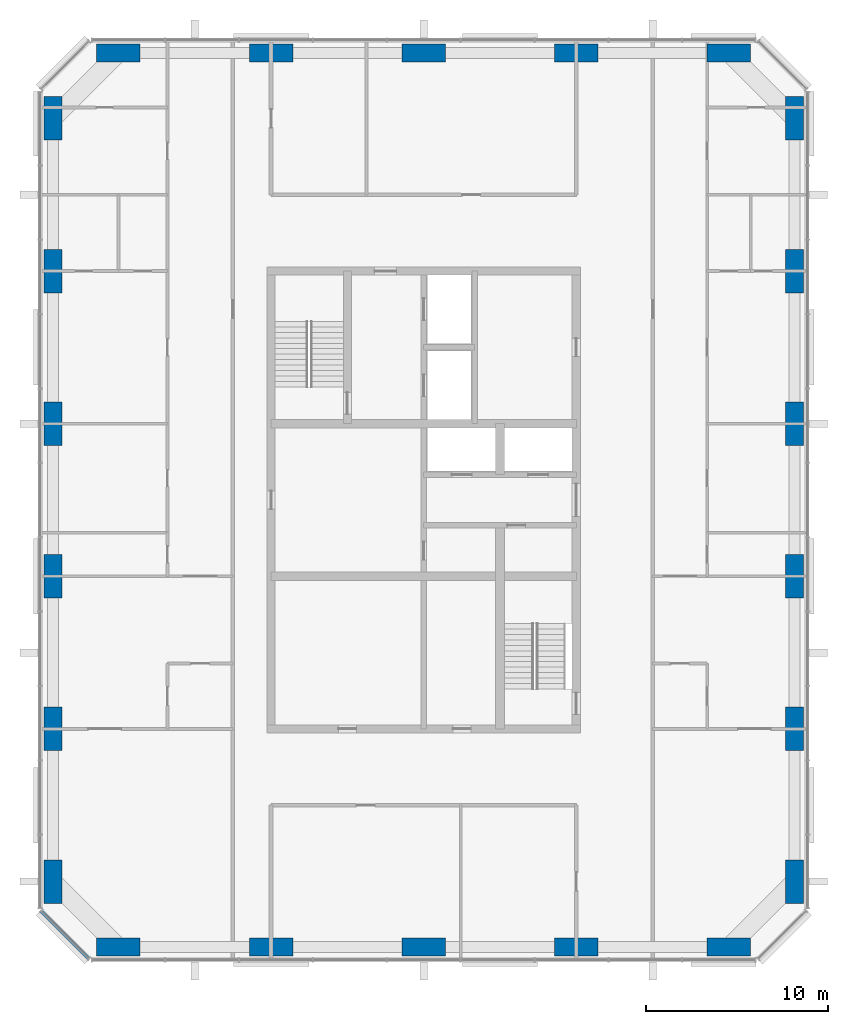
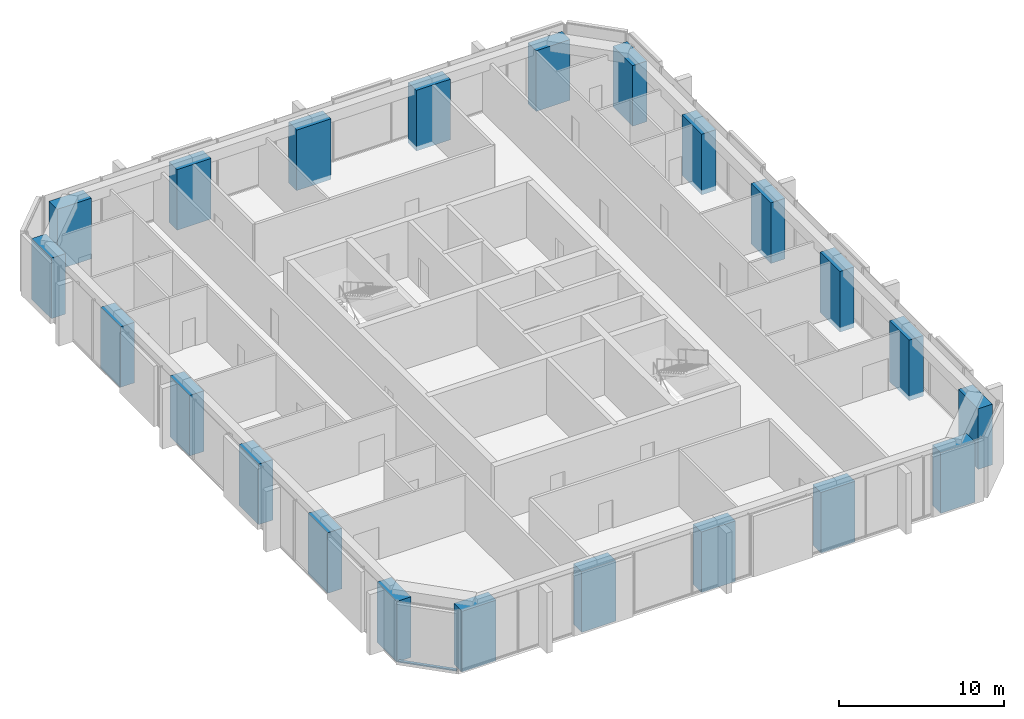
# One storey, part 1 of 10: 22 columns, 1 member, 1 element without a shape of its own.
"""IFC4 building model written with IfcOpenShell, lengths in metres."""

from ifc_helpers import new_model, si_unit, direction, frame, origin, origin_2d, place, context, subcontext, project, spatial, rectangle, extrude, material, material_profile, profile_set, type_object, element, aggregate, save


model = new_model("IFC4")

# Units and contexts
model_context = context("Model", 3, precision=1e-05, world=origin(), true_north=direction((0.0, 1.0)))
body_context = subcontext(model_context, "Body", "Model", "MODEL_VIEW")
ifc_project = project(units=[si_unit("LENGTHUNIT", "METRE"), si_unit("AREAUNIT", "SQUARE_METRE"), si_unit("VOLUMEUNIT", "CUBIC_METRE"), si_unit("PLANEANGLEUNIT", "RADIAN"), si_unit("MASSUNIT", "GRAM", prefix="KILO")], contexts=[model_context])

# Site, building, storey
site_placement = place(None, origin())
site = spatial("IfcSite", under=ifc_project, at=site_placement, CompositionType="ELEMENT")
building_placement = place(site_placement, origin())
building = spatial("IfcBuilding", under=site, at=building_placement, Name="Dunama Terrace Hotel", CompositionType="ELEMENT")
storey_placement = place(building_placement, frame((0.0, 0.0, 289.10009765625)))
storey = spatial("IfcBuildingStorey", under=building, at=storey_placement, Name="L74", CompositionType="ELEMENT", Elevation=289.10009765625)

# Columns
ifc_material_1 = material(Name="Concrete C50/60", Category="concrete")
ifc_material_profile_1 = material_profile(ifc_material_1, rectangle(XDim=1.0, YDim=2.39990234375, at=origin_2d()), Name="RC 1000x2400")
ifc_profile_set_1 = profile_set([ifc_material_profile_1], Name="Concrete C50/60")
column_type_1 = type_object("IfcColumnType", Name="Column RC 1000x2400", PredefinedType="COLUMN", material=ifc_profile_set_1)
for number, where, z_axis, x_axis, name in (
    (1, (13.199951171875, 8.39990234375, -0.35009765625), (0.0, 0.0, 1.0), (1.0, 0.0, 0.0), "Column L74 +13.2/+8.4"),
    (2, (13.199951171875, 16.800048828125, -0.35009765625), (0.0, 0.0, 1.0), (1.0, 0.0, 0.0), "Column L74 +13.2/+16.8"),
    (3, (13.199951171875, 25.199951171875, -0.35009765625), (0.0, 0.0, 1.0), (1.0, 0.0, 0.0), "Column L74 +13.2/+25.2"),
    (4, (13.199951171875, 33.60009765625, -0.35009765625), (0.0, 0.0, 1.0), (1.0, 0.0, 0.0), "Column L74 +13.2/+33.6"),
    (5, (13.199951171875, 42.0, -0.35009765625), (0.0, 0.0, 1.0), (1.0, 0.0, 0.0), "Column L74 +13.2/+42.0"),
    (6, (13.199951171875, 50.39990234375, -0.35009765625), (0.0, 0.0, 1.0), (1.0, 0.0, 0.0), "Column L74 +13.2/+50.4"),
    (7, (54.0, 8.39990234375, -0.35009765625), (0.0, 0.0, 1.0), (1.0, 0.0, 0.0), "Column L74 +54.0/+8.4"),
    (8, (54.0, 16.800048828125, -0.35009765625), (0.0, 0.0, 1.0), (1.0, 0.0, 0.0), "Column L74 +54.0/+16.8"),
    (9, (54.0, 25.199951171875, -0.35009765625), (0.0, 0.0, 1.0), (1.0, 0.0, 0.0), "Column L74 +54.0/+25.2"),
    (10, (54.0, 33.60009765625, -0.35009765625), (0.0, 0.0, 1.0), (1.0, 0.0, 0.0), "Column L74 +54.0/+33.6"),
    (11, (54.0, 42.0, -0.35009765625), (0.0, 0.0, 1.0), (1.0, 0.0, 0.0), "Column L74 +54.0/+42.0"),
    (12, (54.0, 50.39990234375, -0.35009765625), (0.0, 0.0, 1.0), (1.0, 0.0, 0.0), "Column L74 +54.0/+50.4"),
):
    element("IfcColumn", number, at=place(storey_placement, frame(where, z_axis=z_axis, x_axis=x_axis)), inside=storey, type_object=column_type_1, Name=name, PredefinedType="COLUMN", context=body_context, shape_type="SweptSolid", body=[
        extrude(rectangle(XDim=1.0, YDim=2.39990234375, at=origin_2d()), origin(), (0.0, 0.0, 1.0), 4.5),
    ])
ifc_material_2 = material(Name="Concrete C50/60", Category="concrete")
ifc_material_profile_2 = material_profile(ifc_material_2, rectangle(XDim=2.39990234375, YDim=1.0, at=origin_2d()), Name="RC 2400x1000")
ifc_profile_set_2 = profile_set([ifc_material_profile_2], Name="Concrete C50/60")
column_type_2 = type_object("IfcColumnType", Name="Column RC 2400x1000", PredefinedType="COLUMN", material=ifc_profile_set_2)
for number, where, z_axis, x_axis, name in (
    (13, (16.800048828125, 4.800048828125, -0.35009765625), (0.0, 0.0, 1.0), (1.0, 0.0, 0.0), "Column L74 +16.8/+4.8"),
    (14, (16.800048828125, 54.0, -0.35009765625), (0.0, 0.0, 1.0), (1.0, 0.0, 0.0), "Column L74 +16.8/+54.0"),
    (15, (25.199951171875, 4.800048828125, -0.35009765625), (0.0, 0.0, 1.0), (1.0, 0.0, 0.0), "Column L74 +25.2/+4.8"),
    (16, (25.199951171875, 54.0, -0.35009765625), (0.0, 0.0, 1.0), (1.0, 0.0, 0.0), "Column L74 +25.2/+54.0"),
    (17, (33.60009765625, 4.800048828125, -0.35009765625), (0.0, 0.0, 1.0), (1.0, 0.0, 0.0), "Column L74 +33.6/+4.8"),
    (18, (33.60009765625, 54.0, -0.35009765625), (0.0, 0.0, 1.0), (1.0, 0.0, 0.0), "Column L74 +33.6/+54.0"),
    (19, (42.0, 4.800048828125, -0.35009765625), (0.0, 0.0, 1.0), (1.0, 0.0, 0.0), "Column L74 +42.0/+4.8"),
    (20, (42.0, 54.0, -0.35009765625), (0.0, 0.0, 1.0), (1.0, 0.0, 0.0), "Column L74 +42.0/+54.0"),
    (21, (50.39990234375, 4.800048828125, -0.35009765625), (0.0, 0.0, 1.0), (1.0, 0.0, 0.0), "Column L74 +50.4/+4.8"),
    (22, (50.39990234375, 54.0, -0.35009765625), (0.0, 0.0, 1.0), (1.0, 0.0, 0.0), "Column L74 +50.4/+54.0"),
):
    element("IfcColumn", number, at=place(storey_placement, frame(where, z_axis=z_axis, x_axis=x_axis)), inside=storey, type_object=column_type_2, Name=name, PredefinedType="COLUMN", context=body_context, shape_type="SweptSolid", body=[
        extrude(rectangle(XDim=2.39990234375, YDim=1.0, at=origin_2d()), origin(), (0.0, 0.0, 1.0), 4.5),
    ])

# Curtain wall, member
ifc_material_3 = material(Name="Aluminium curtain wall system", Category="aluminium")
curtain_wall_type = type_object("IfcCurtainWallType", Name="Unitised fritted glass wall CW-D", PredefinedType="NOTDEFINED", material=ifc_material_3)
curtain_wall_placement = place(storey_placement, origin())
curtain_wall = element("IfcCurtainWall", 23, at=curtain_wall_placement, inside=storey, type_object=curtain_wall_type, Name="Unitised fritted glass wall CW-D L74", PredefinedType="NOTDEFINED")
ifc_material_4 = material(Name="Aluminium transom", Category="aluminium")
ifc_material_profile_3 = material_profile(ifc_material_4, rectangle(XDim=0.199951171875, YDim=0.0849609375, at=origin_2d()), Name="CWD TRANSOM 200X85")
ifc_profile_set_3 = profile_set([ifc_material_profile_3], Name="Aluminium transom")
member_type = type_object("IfcMemberType", Name="CWD transom 200x85", PredefinedType="USERDEFINED", material=ifc_profile_set_3)
member_placement = place(storey_placement, frame((12.56494140625, 6.76611328125, 0.04248046875), z_axis=(0.707106781187, -0.707106781187, 0.0), x_axis=(0.707106781187, 0.707106781187, 0.0)))
member = element("IfcMember", 24, at=member_placement, type_object=member_type, Name="CWD transom", ObjectType="TRANSOM", PredefinedType="USERDEFINED", context=body_context, shape_type="SweptSolid", body=[
    extrude(rectangle(XDim=0.199951171875, YDim=0.0849609375, at=origin_2d()), origin(), (0.0, 0.0, 1.0), 3.678466796875),
])
aggregate(curtain_wall, [member])

save(model, "model.ifc")
